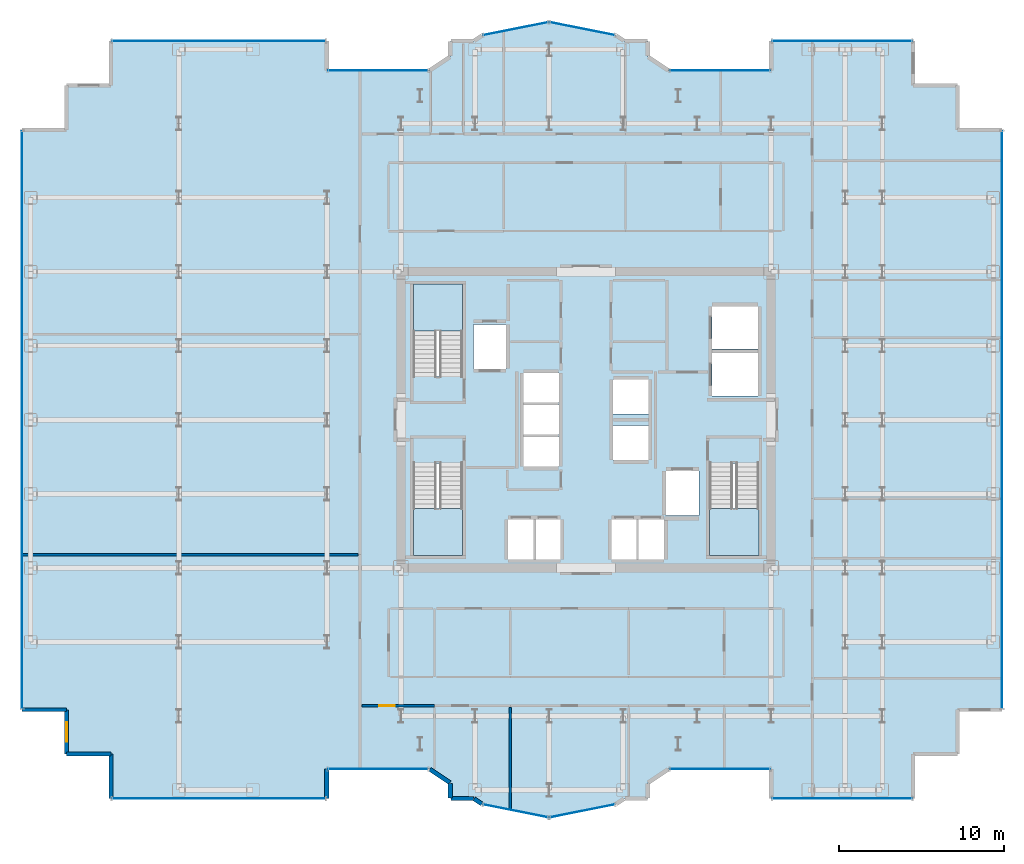
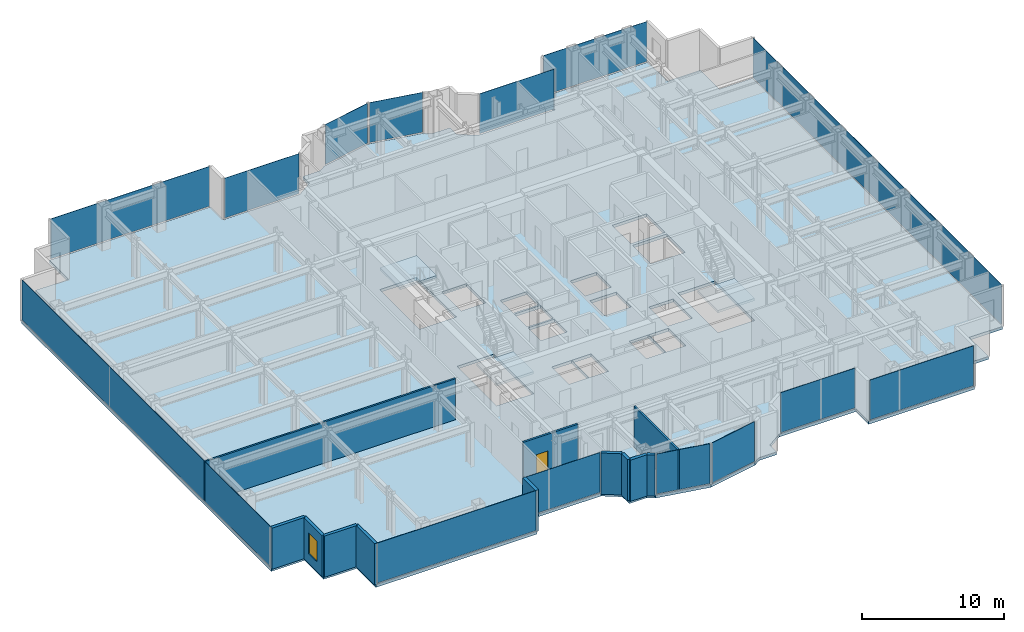
# One storey, part 16 of 23: 14 plates, 12 walls, 4 slabs, 1 door, 1 window, 2 openings, 17 elements without a shape of their own.
"""IFC4 building model written with IfcOpenShell, lengths in metres."""

from ifc_helpers import new_model, si_unit, direction, frame, frame_2d, origin, origin_2d, place, context, subcontext, project, spatial, polyline, rectangle, outline, extrude, source, transform, mapped, material, layer, layer_set, type_object, element, fill, aggregate, save


model = new_model("IFC4")

# Units and contexts
model_context = context("Model", 3, precision=1e-05, world=origin(), true_north=direction((0.0, 1.0)))
body_context = subcontext(model_context, "Body", "Model", "MODEL_VIEW")
ifc_project = project(units=[si_unit("LENGTHUNIT", "METRE"), si_unit("AREAUNIT", "SQUARE_METRE"), si_unit("VOLUMEUNIT", "CUBIC_METRE"), si_unit("PLANEANGLEUNIT", "RADIAN"), si_unit("MASSUNIT", "GRAM", prefix="KILO")], contexts=[model_context])

# Site, building, storey
site_placement = place(None, origin())
site = spatial("IfcSite", under=ifc_project, at=site_placement, CompositionType="ELEMENT")
building_placement = place(site_placement, origin())
building = spatial("IfcBuilding", under=site, at=building_placement, Name="Nefas-Gora Pilgrimage Tower", CompositionType="ELEMENT")
storey_placement = place(building_placement, frame((0.0, 0.0, 152.60009765625)))
storey = spatial("IfcBuildingStorey", under=building, at=storey_placement, Name="L37", CompositionType="ELEMENT", Elevation=152.60009765625)

# Slab
ifc_material_1 = material(Name="Concrete C40/50", Category="concrete")
ifc_layer_1 = layer(ifc_material_1, 0.25)
ifc_layer_set_1 = layer_set([ifc_layer_1], Name="Concrete C40/50")
slab_type_1 = type_object("IfcSlabType", Name="SLB-TWR-250", PredefinedType="FLOOR", material=ifc_layer_set_1)
slab_1_placement = place(storey_placement, frame((0.0, 0.0, -0.25)))
element("IfcSlab", 1, at=slab_1_placement, inside=storey, type_object=slab_type_1, Name="L37 Structural Floor Slab", PredefinedType="FLOOR", context=body_context, shape_type="SweptSolid", body=[
    extrude(outline(polyline([(5.01806640625, -21.219970703125), (11.25, -21.219970703125), (11.25, -23.02001953125), (19.8701171875, -23.02001953125), (19.8701171875, -20.320068359375), (22.570068359375, -20.320068359375), (22.570068359375, -17.6201171875), (25.27001953125, -17.6201171875), (25.27001953125, 17.6201171875), (22.570068359375, 17.6201171875), (22.570068359375, 20.320068359375), (19.8701171875, 20.320068359375), (19.8701171875, 23.02001953125), (11.25, 23.02001953125), (11.25, 21.219970703125), (5.01806640625, 21.219970703125), (3.75, 22.0673828125), (3.75, 23.02001953125), (2.32421875, 23.02001953125), (1.807373046875, 23.365234375), (-2.25, 24.17236328125), (-6.307373046875, 23.365234375), (-6.82421875, 23.02001953125), (-8.25, 23.02001953125), (-8.25, 22.0673828125), (-9.51806640625, 21.219970703125), (-15.75, 21.219970703125), (-15.75, 23.02001953125), (-28.8701171875, 23.02001953125), (-28.8701171875, 20.320068359375), (-31.570068359375, 20.320068359375), (-31.570068359375, 17.6201171875), (-34.27001953125, 17.6201171875), (-34.27001953125, -17.6201171875), (-31.570068359375, -17.6201171875), (-31.570068359375, -20.320068359375), (-28.8701171875, -20.320068359375), (-28.8701171875, -23.02001953125), (-15.75, -23.02001953125), (-15.75, -21.219970703125), (-9.51806640625, -21.219970703125), (-8.25, -22.0673828125), (-8.25, -23.02001953125), (-6.82421875, -23.02001953125), (-6.307373046875, -23.365234375), (-2.25, -24.17236328125), (1.807373046875, -23.365234375), (2.32421875, -23.02001953125), (3.75, -23.02001953125), (3.75, -22.0673828125), (5.01806640625, -21.219970703125)]), holes=[polyline([(-10.5, 2.639892578125), (-10.5, 8.25), (-7.5, 8.25), (-7.5, 2.639892578125), (-10.5, 2.639892578125)]), polyline([(10.5, -2.639892578125), (10.5, -8.25), (7.5, -8.25), (7.5, -2.639892578125), (10.5, -2.639892578125)]), polyline([(-7.5, -2.639892578125), (-7.5, -8.25), (-10.5, -8.25), (-10.5, -2.639892578125), (-7.5, -2.639892578125)]), polyline([(-6.85009765625, 5.800048828125), (-4.85009765625, 5.800048828125), (-4.85009765625, 3.10009765625), (-6.85009765625, 3.10009765625), (-6.85009765625, 5.800048828125)]), polyline([(4.85009765625, -3.10009765625), (6.85009765625, -3.10009765625), (6.85009765625, -5.800048828125), (4.85009765625, -5.800048828125), (4.85009765625, -3.10009765625)]), polyline([(7.64990234375, 4.050048828125), (10.449951171875, 4.050048828125), (10.449951171875, 1.449951171875), (7.64990234375, 1.449951171875), (7.64990234375, 4.050048828125)]), polyline([(7.64990234375, 6.89990234375), (10.449951171875, 6.89990234375), (10.449951171875, 4.300048828125), (7.64990234375, 4.300048828125), (7.64990234375, 6.89990234375)]), polyline([(-4.75, -6.050048828125), (-3.14990234375, -6.050048828125), (-3.14990234375, -8.5), (-4.75, -8.5), (-4.75, -6.050048828125)]), polyline([(-3.10009765625, -6.050048828125), (-1.550048828125, -6.050048828125), (-1.550048828125, -8.5), (-3.10009765625, -8.5), (-3.10009765625, -6.050048828125)]), polyline([(1.550048828125, -6.050048828125), (3.10009765625, -6.050048828125), (3.10009765625, -8.5), (1.550048828125, -8.5), (1.550048828125, -6.050048828125)]), polyline([(3.14990234375, -6.050048828125), (4.75, -6.050048828125), (4.75, -8.5), (3.14990234375, -8.5), (3.14990234375, -6.050048828125)]), polyline([(-3.800048828125, -1.050048828125), (-1.64990234375, -1.050048828125), (-1.64990234375, -2.85009765625), (-3.800048828125, -2.85009765625), (-3.800048828125, -1.050048828125)]), polyline([(-3.800048828125, 0.89990234375), (-1.64990234375, 0.89990234375), (-1.64990234375, -0.89990234375), (-3.800048828125, -0.89990234375), (-3.800048828125, 0.89990234375)]), polyline([(-3.800048828125, 2.85009765625), (-1.64990234375, 2.85009765625), (-1.64990234375, 1.050048828125), (-3.800048828125, 1.050048828125), (-3.800048828125, 2.85009765625)]), polyline([(1.64990234375, -0.35009765625), (3.800048828125, -0.35009765625), (3.800048828125, -2.449951171875), (1.64990234375, -2.449951171875), (1.64990234375, -0.35009765625)]), polyline([(1.64990234375, 2.449951171875), (3.800048828125, 2.449951171875), (3.800048828125, 0.35009765625), (1.64990234375, 0.35009765625), (1.64990234375, 2.449951171875)])]), origin(), (0.0, 0.0, 1.0), 0.25),
])

# Stair, slab
ifc_material_2 = material(Name="Concrete C45/55", Category="concrete")
stair_type = type_object("IfcStairType", Name="STR-1400-R1727", PredefinedType="HALF_TURN_STAIR", material=ifc_material_2)
stair_1_placement = place(storey_placement, origin())
stair_1 = element("IfcStair", 2, at=stair_1_placement, inside=storey, type_object=stair_type, Name="L37 Pressurised Tower Exit Stair ST-01", PredefinedType="HALF_TURN_STAIR")
ifc_layer_2 = layer(ifc_material_1, 0.199951171875)
ifc_layer_set_2 = layer_set([ifc_layer_2], Name="Concrete C40/50")
slab_type_2 = type_object("IfcSlabType", Name="STR-LAND-200", PredefinedType="LANDING", material=ifc_layer_set_2)
slab_2_placement = place(storey_placement, frame((0.0, 0.0, 1.699951171875)))
slab_2 = element("IfcSlab", 3, at=slab_2_placement, type_object=slab_type_2, Name="ST-01 landing 1", PredefinedType="LANDING", context=body_context, shape_type="SweptSolid", body=[
    extrude(outline(polyline([(-7.5, 5.39990234375), (-7.5, 8.25), (-10.5, 8.25), (-10.5, 5.39990234375), (-7.5, 5.39990234375)])), origin(), (0.0, 0.0, 1.0), 0.199951171875),
])
aggregate(stair_1, [slab_2])

stair_2_placement = place(storey_placement, origin())
stair_2 = element("IfcStair", 4, at=stair_2_placement, inside=storey, type_object=stair_type, Name="L37 Pressurised Tower Exit Stair ST-02", PredefinedType="HALF_TURN_STAIR")
slab_3_placement = place(storey_placement, frame((0.0, 0.0, 1.699951171875)))
slab_3 = element("IfcSlab", 5, at=slab_3_placement, type_object=slab_type_2, Name="ST-02 landing 1", PredefinedType="LANDING", context=body_context, shape_type="SweptSolid", body=[
    extrude(outline(polyline([(7.5, -5.39990234375), (7.5, -8.25), (10.5, -8.25), (10.5, -5.39990234375), (7.5, -5.39990234375)])), origin(), (0.0, 0.0, 1.0), 0.199951171875),
])
aggregate(stair_2, [slab_3])

stair_3_placement = place(storey_placement, origin())
stair_3 = element("IfcStair", 6, at=stair_3_placement, inside=storey, type_object=stair_type, Name="L37 Pressurised Tower Exit Stair ST-03", PredefinedType="HALF_TURN_STAIR")
slab_4_placement = place(storey_placement, frame((0.0, 0.0, 1.699951171875)))
slab_4 = element("IfcSlab", 7, at=slab_4_placement, type_object=slab_type_2, Name="ST-03 landing 1", PredefinedType="LANDING", context=body_context, shape_type="SweptSolid", body=[
    extrude(outline(polyline([(-10.5, -5.39990234375), (-10.5, -8.25), (-7.5, -8.25), (-7.5, -5.39990234375), (-10.5, -5.39990234375)])), origin(), (0.0, 0.0, 1.0), 0.199951171875),
])
aggregate(stair_3, [slab_4])

# Curtain wall, plate
ifc_material_3 = material(Name="Dark ceramic-fritted solar-control aluminium-glass curtain wall", Category="aluminium")
ifc_layer_3 = layer(ifc_material_3, 0.219970703125)
ifc_layer_set_3 = layer_set([ifc_layer_3], Name="Dark ceramic-fritted solar-control aluminium-glass curtain wall")
curtain_wall_type_1 = type_object("IfcCurtainWallType", Name="CW-SYS-5", PredefinedType="NOTDEFINED", material=ifc_layer_set_3)
curtain_wall_1_placement = place(storey_placement, origin())
curtain_wall_1 = element("IfcCurtainWall", 8, at=curtain_wall_1_placement, inside=storey, type_object=curtain_wall_type_1, Name="L37 Unitised Curtain Wall CW5", PredefinedType="NOTDEFINED")
ifc_material_4 = material(Name="Dark ceramic-printed low-e insulated glass", Category="glass")
ifc_layer_4 = layer(ifc_material_4, 0.028076171875)
ifc_layer_set_4 = layer_set([ifc_layer_4], Name="Dark ceramic-printed low-e insulated glass")
plate_type_1 = type_object("IfcPlateType", Name="CWP-PNL-5", PredefinedType="CURTAIN_PANEL", material=ifc_layer_set_4)
shared_shape_1 = source(origin(), body_context, "Body", "SweptSolid", [
    extrude(rectangle(XDim=6.052001953125, YDim=0.028076171875, at=origin_2d()), origin(), (0.0, 0.0, 1.0), 3.43994140625),
])
plate_1_placement = place(storey_placement, frame((8.134033203125, -21.219970703125, 0.099853515625), z_axis=(0.0, 0.0, 1.0), x_axis=(1.0, 0.0, 0.0)))
plate_1 = element("IfcPlate", 9, at=plate_1_placement, type_object=plate_type_1, Name="CW5 Ceramic-Fritted Glazing Panel 1", PredefinedType="CURTAIN_PANEL", context=body_context, shape_type="MappedRepresentation", body=[
    mapped(shared_shape_1, transform((0.0, 0.0, 0.0), x_axis=(1.0, 0.0, 0.0), y_axis=(0.0, 1.0, 0.0), z_axis=(0.0, 0.0, 1.0), scale=1.0)),
])
aggregate(curtain_wall_1, [plate_1])

curtain_wall_2_placement = place(storey_placement, origin())
curtain_wall_2 = element("IfcCurtainWall", 10, at=curtain_wall_2_placement, inside=storey, type_object=curtain_wall_type_1, Name="L37 Unitised Curtain Wall CW5", PredefinedType="NOTDEFINED")
plate_2_placement = place(storey_placement, frame((8.134033203125, 21.219970703125, 0.099853515625), z_axis=(0.0, 0.0, 1.0), x_axis=(-1.0, 0.0, 0.0)))
plate_2 = element("IfcPlate", 11, at=plate_2_placement, type_object=plate_type_1, Name="CW5 Ceramic-Fritted Glazing Panel 1", PredefinedType="CURTAIN_PANEL", context=body_context, shape_type="MappedRepresentation", body=[
    mapped(shared_shape_1, transform((0.0, 0.0, 0.0), x_axis=(1.0, 0.0, 0.0), y_axis=(0.0, 1.0, 0.0), z_axis=(0.0, 0.0, 1.0), scale=1.0)),
])
aggregate(curtain_wall_2, [plate_2])

curtain_wall_3_placement = place(storey_placement, origin())
curtain_wall_3 = element("IfcCurtainWall", 12, at=curtain_wall_3_placement, inside=storey, type_object=curtain_wall_type_1, Name="L37 Unitised Curtain Wall CW5", PredefinedType="NOTDEFINED")
plate_3_placement = place(storey_placement, frame((-12.634033203125, 21.219970703125, 0.099853515625), z_axis=(0.0, 0.0, 1.0), x_axis=(-1.0, 0.0, 0.0)))
plate_3 = element("IfcPlate", 13, at=plate_3_placement, type_object=plate_type_1, Name="CW5 Ceramic-Fritted Glazing Panel 1", PredefinedType="CURTAIN_PANEL", context=body_context, shape_type="MappedRepresentation", body=[
    mapped(shared_shape_1, transform((0.0, 0.0, 0.0), x_axis=(1.0, 0.0, 0.0), y_axis=(0.0, 1.0, 0.0), z_axis=(0.0, 0.0, 1.0), scale=1.0)),
])
aggregate(curtain_wall_3, [plate_3])

curtain_wall_4_placement = place(storey_placement, origin())
curtain_wall_4 = element("IfcCurtainWall", 14, at=curtain_wall_4_placement, inside=storey, type_object=curtain_wall_type_1, Name="L37 Unitised Curtain Wall CW5", PredefinedType="NOTDEFINED")
plate_4_placement = place(storey_placement, frame((-12.634033203125, -21.219970703125, 0.099853515625), z_axis=(0.0, 0.0, 1.0), x_axis=(1.0, 0.0, 0.0)))
plate_4 = element("IfcPlate", 15, at=plate_4_placement, type_object=plate_type_1, Name="CW5 Ceramic-Fritted Glazing Panel 1", PredefinedType="CURTAIN_PANEL", context=body_context, shape_type="MappedRepresentation", body=[
    mapped(shared_shape_1, transform((0.0, 0.0, 0.0), x_axis=(1.0, 0.0, 0.0), y_axis=(0.0, 1.0, 0.0), z_axis=(0.0, 0.0, 1.0), scale=1.0)),
])
aggregate(curtain_wall_4, [plate_4])

curtain_wall_5_placement = place(storey_placement, origin())
curtain_wall_5 = element("IfcCurtainWall", 16, at=curtain_wall_5_placement, inside=storey, type_object=curtain_wall_type_1, Name="L37 Unitised Curtain Wall CW5", PredefinedType="NOTDEFINED")
shared_shape_2 = source(origin(), body_context, "Body", "SweptSolid", [
    extrude(rectangle(XDim=3.956787109375, YDim=0.028076171875, at=origin_2d()), origin(), (0.0, 0.0, 1.0), 3.43994140625),
])
plate_5_placement = place(storey_placement, frame((-0.22119140625, 23.768798828125, 0.099853515625), z_axis=(0.0, 0.0, 1.0), x_axis=(-0.980782896852, 0.195102304554, 0.0)))
plate_5 = element("IfcPlate", 17, at=plate_5_placement, type_object=plate_type_1, Name="CW5 Ceramic-Fritted Glazing Panel 1", PredefinedType="CURTAIN_PANEL", context=body_context, shape_type="MappedRepresentation", body=[
    mapped(shared_shape_2, transform((0.0, 0.0, 0.0), x_axis=(1.0, 0.0, 0.0), y_axis=(0.0, 1.0, 0.0), z_axis=(0.0, 0.0, 1.0), scale=1.0)),
])
aggregate(curtain_wall_5, [plate_5])

curtain_wall_6_placement = place(storey_placement, origin())
curtain_wall_6 = element("IfcCurtainWall", 18, at=curtain_wall_6_placement, inside=storey, type_object=curtain_wall_type_1, Name="L37 Unitised Curtain Wall CW5", PredefinedType="NOTDEFINED")
plate_6_placement = place(storey_placement, frame((-4.278564453125, 23.768798828125, 0.099853515625), z_axis=(0.0, 0.0, 1.0), x_axis=(-0.980782896852, -0.195102304554, 0.0)))
plate_6 = element("IfcPlate", 19, at=plate_6_placement, type_object=plate_type_1, Name="CW5 Ceramic-Fritted Glazing Panel 1", PredefinedType="CURTAIN_PANEL", context=body_context, shape_type="MappedRepresentation", body=[
    mapped(shared_shape_2, transform((0.0, 0.0, 0.0), x_axis=(1.0, 0.0, 0.0), y_axis=(0.0, 1.0, 0.0), z_axis=(0.0, 0.0, 1.0), scale=1.0)),
])
aggregate(curtain_wall_6, [plate_6])

curtain_wall_7_placement = place(storey_placement, origin())
curtain_wall_7 = element("IfcCurtainWall", 20, at=curtain_wall_7_placement, inside=storey, type_object=curtain_wall_type_1, Name="L37 Unitised Curtain Wall CW5", PredefinedType="NOTDEFINED")
plate_7_placement = place(storey_placement, frame((-4.278564453125, -23.768798828125, 0.099853515625), z_axis=(0.0, 0.0, 1.0), x_axis=(0.980782896852, -0.195102304554, 0.0)))
plate_7 = element("IfcPlate", 21, at=plate_7_placement, type_object=plate_type_1, Name="CW5 Ceramic-Fritted Glazing Panel 1", PredefinedType="CURTAIN_PANEL", context=body_context, shape_type="MappedRepresentation", body=[
    mapped(shared_shape_2, transform((0.0, 0.0, 0.0), x_axis=(1.0, 0.0, 0.0), y_axis=(0.0, 1.0, 0.0), z_axis=(0.0, 0.0, 1.0), scale=1.0)),
])
aggregate(curtain_wall_7, [plate_7])

curtain_wall_8_placement = place(storey_placement, origin())
curtain_wall_8 = element("IfcCurtainWall", 22, at=curtain_wall_8_placement, inside=storey, type_object=curtain_wall_type_1, Name="L37 Unitised Curtain Wall CW5", PredefinedType="NOTDEFINED")
plate_8_placement = place(storey_placement, frame((-0.221435546875, -23.768798828125, 0.099853515625), z_axis=(0.0, 0.0, 1.0), x_axis=(0.980782896852, 0.195102304554, 0.0)))
plate_8 = element("IfcPlate", 23, at=plate_8_placement, type_object=plate_type_1, Name="CW5 Ceramic-Fritted Glazing Panel 1", PredefinedType="CURTAIN_PANEL", context=body_context, shape_type="MappedRepresentation", body=[
    mapped(shared_shape_2, transform((0.0, 0.0, 0.0), x_axis=(1.0, 0.0, 0.0), y_axis=(0.0, 1.0, 0.0), z_axis=(0.0, 0.0, 1.0), scale=1.0)),
])
aggregate(curtain_wall_8, [plate_8])

ifc_layer_5 = layer(ifc_material_3, 0.219970703125)
ifc_layer_set_5 = layer_set([ifc_layer_5], Name="Dark ceramic-fritted solar-control aluminium-glass curtain wall")
curtain_wall_type_2 = type_object("IfcCurtainWallType", Name="CW-SYS-3", PredefinedType="NOTDEFINED", material=ifc_layer_set_5)
curtain_wall_9_placement = place(storey_placement, origin())
curtain_wall_9 = element("IfcCurtainWall", 24, at=curtain_wall_9_placement, inside=storey, type_object=curtain_wall_type_2, Name="L37 Unitised Curtain Wall CW3", PredefinedType="NOTDEFINED")
ifc_layer_6 = layer(ifc_material_4, 0.033935546875)
ifc_layer_set_6 = layer_set([ifc_layer_6], Name="Dark ceramic-printed low-e insulated glass")
plate_type_2 = type_object("IfcPlateType", Name="CWP-PNL-3", PredefinedType="CURTAIN_PANEL", material=ifc_layer_set_6)
shared_shape_3 = source(origin(), body_context, "Body", "SweptSolid", [
    extrude(rectangle(XDim=8.43994140625, YDim=0.033935546875, at=origin_2d()), origin(), (0.0, 0.0, 1.0), 3.43994140625),
])
plate_9_placement = place(storey_placement, frame((15.56005859375, -23.02001953125, 0.099853515625), z_axis=(0.0, 0.0, 1.0), x_axis=(1.0, 0.0, 0.0)))
plate_9 = element("IfcPlate", 25, at=plate_9_placement, type_object=plate_type_2, Name="CW3 Ceramic-Fritted Glazing Panel 1", PredefinedType="CURTAIN_PANEL", context=body_context, shape_type="MappedRepresentation", body=[
    mapped(shared_shape_3, transform((0.0, 0.0, 0.0), x_axis=(1.0, 0.0, 0.0), y_axis=(0.0, 1.0, 0.0), z_axis=(0.0, 0.0, 1.0), scale=1.0)),
])
aggregate(curtain_wall_9, [plate_9])

curtain_wall_10_placement = place(storey_placement, origin())
curtain_wall_10 = element("IfcCurtainWall", 26, at=curtain_wall_10_placement, inside=storey, type_object=curtain_wall_type_2, Name="L37 Unitised Curtain Wall CW3", PredefinedType="NOTDEFINED")
plate_10_placement = place(storey_placement, frame((15.56005859375, 23.02001953125, 0.099853515625), z_axis=(0.0, 0.0, 1.0), x_axis=(-1.0, 0.0, 0.0)))
plate_10 = element("IfcPlate", 27, at=plate_10_placement, type_object=plate_type_2, Name="CW3 Ceramic-Fritted Glazing Panel 1", PredefinedType="CURTAIN_PANEL", context=body_context, shape_type="MappedRepresentation", body=[
    mapped(shared_shape_3, transform((0.0, 0.0, 0.0), x_axis=(1.0, 0.0, 0.0), y_axis=(0.0, 1.0, 0.0), z_axis=(0.0, 0.0, 1.0), scale=1.0)),
])
aggregate(curtain_wall_10, [plate_10])

curtain_wall_11_placement = place(storey_placement, origin())
curtain_wall_11 = element("IfcCurtainWall", 28, at=curtain_wall_11_placement, inside=storey, type_object=curtain_wall_type_2, Name="L37 Unitised Curtain Wall CW3", PredefinedType="NOTDEFINED")
shared_shape_4 = source(origin(), body_context, "Body", "SweptSolid", [
    extrude(rectangle(XDim=12.93994140625, YDim=0.033935546875, at=origin_2d()), origin(), (0.0, 0.0, 1.0), 3.43994140625),
])
plate_11_placement = place(storey_placement, frame((-22.31005859375, 23.02001953125, 0.099853515625), z_axis=(0.0, 0.0, 1.0), x_axis=(-1.0, 0.0, 0.0)))
plate_11 = element("IfcPlate", 29, at=plate_11_placement, type_object=plate_type_2, Name="CW3 Ceramic-Fritted Glazing Panel 1", PredefinedType="CURTAIN_PANEL", context=body_context, shape_type="MappedRepresentation", body=[
    mapped(shared_shape_4, transform((0.0, 0.0, 0.0), x_axis=(1.0, 0.0, 0.0), y_axis=(0.0, 1.0, 0.0), z_axis=(0.0, 0.0, 1.0), scale=1.0)),
])
aggregate(curtain_wall_11, [plate_11])

curtain_wall_12_placement = place(storey_placement, origin())
curtain_wall_12 = element("IfcCurtainWall", 30, at=curtain_wall_12_placement, inside=storey, type_object=curtain_wall_type_2, Name="L37 Unitised Curtain Wall CW3", PredefinedType="NOTDEFINED")
plate_12_placement = place(storey_placement, frame((-22.31005859375, -23.02001953125, 0.099853515625), z_axis=(0.0, 0.0, 1.0), x_axis=(1.0, 0.0, 0.0)))
plate_12 = element("IfcPlate", 31, at=plate_12_placement, type_object=plate_type_2, Name="CW3 Ceramic-Fritted Glazing Panel 1", PredefinedType="CURTAIN_PANEL", context=body_context, shape_type="MappedRepresentation", body=[
    mapped(shared_shape_4, transform((0.0, 0.0, 0.0), x_axis=(1.0, 0.0, 0.0), y_axis=(0.0, 1.0, 0.0), z_axis=(0.0, 0.0, 1.0), scale=1.0)),
])
aggregate(curtain_wall_12, [plate_12])

curtain_wall_13_placement = place(storey_placement, origin())
curtain_wall_13 = element("IfcCurtainWall", 32, at=curtain_wall_13_placement, inside=storey, type_object=curtain_wall_type_2, Name="L37 Unitised Curtain Wall CW3", PredefinedType="NOTDEFINED")
shared_shape_5 = source(origin(), body_context, "Body", "SweptSolid", [
    extrude(rectangle(XDim=35.06005859375, YDim=0.033935546875, at=origin_2d()), origin(), (0.0, 0.0, 1.0), 3.43994140625),
])
plate_13_placement = place(storey_placement, frame((25.27001953125, 0.0, 0.099853515625), z_axis=(0.0, 0.0, 1.0), x_axis=(0.0, 1.0, 0.0)))
plate_13 = element("IfcPlate", 33, at=plate_13_placement, type_object=plate_type_2, Name="CW3 Ceramic-Fritted Glazing Panel 1", PredefinedType="CURTAIN_PANEL", context=body_context, shape_type="MappedRepresentation", body=[
    mapped(shared_shape_5, transform((0.0, 0.0, 0.0), x_axis=(1.0, 0.0, 0.0), y_axis=(0.0, 1.0, 0.0), z_axis=(0.0, 0.0, 1.0), scale=1.0)),
])
aggregate(curtain_wall_13, [plate_13])

curtain_wall_14_placement = place(storey_placement, origin())
curtain_wall_14 = element("IfcCurtainWall", 34, at=curtain_wall_14_placement, inside=storey, type_object=curtain_wall_type_2, Name="L37 Unitised Curtain Wall CW3", PredefinedType="NOTDEFINED")
plate_14_placement = place(storey_placement, frame((-34.27001953125, 0.0, 0.099853515625), z_axis=(0.0, 0.0, 1.0), x_axis=(0.0, -1.0, 0.0)))
plate_14 = element("IfcPlate", 35, at=plate_14_placement, type_object=plate_type_2, Name="CW3 Ceramic-Fritted Glazing Panel 1", PredefinedType="CURTAIN_PANEL", context=body_context, shape_type="MappedRepresentation", body=[
    mapped(shared_shape_5, transform((0.0, 0.0, 0.0), x_axis=(1.0, 0.0, 0.0), y_axis=(0.0, 1.0, 0.0), z_axis=(0.0, 0.0, 1.0), scale=1.0)),
])
aggregate(curtain_wall_14, [plate_14])

# Walls
ifc_material_5 = material(Name="Precast concrete C40/50", Category="concrete")
ifc_layer_7 = layer(ifc_material_5, 0.260009765625)
ifc_layer_set_7 = layer_set([ifc_layer_7], Name="Precast concrete C40/50")
wall_type_1 = type_object("IfcWallType", Name="EW-PORTAL-260", PredefinedType="SOLIDWALL", material=ifc_layer_set_7)
shared_shape_6 = source(origin(), body_context, "Body", "SweptSolid", [
    extrude(rectangle(XDim=1.800048828125, YDim=0.260009765625, at=frame_2d((0.89990234375, 0.0))), origin(), (0.0, 0.0, 1.0), 3.5498046875),
])
wall_1_placement = place(storey_placement, frame((-15.75, -23.02001953125, 0.0), z_axis=(0.0, 0.0, 1.0), x_axis=(0.0, 1.0, 0.0)))
element("IfcWall", 36, at=wall_1_placement, inside=storey, type_object=wall_type_1, Name="L37 Lobe Shoulder Precast Spandrel Pier 28", PredefinedType="SOLIDWALL", context=body_context, shape_type="MappedRepresentation", body=[
    mapped(shared_shape_6, transform((0.0, 0.0, 0.0), x_axis=(1.0, 0.0, 0.0), y_axis=(0.0, 1.0, 0.0), z_axis=(0.0, 0.0, 1.0), scale=1.0)),
])
ifc_material_6 = material(Name="Precast concrete C45/55", Category="concrete")
ifc_layer_8 = layer(ifc_material_6, 0.239990234375)
ifc_layer_set_8 = layer_set([ifc_layer_8], Name="Precast concrete C45/55")
wall_type_2 = type_object("IfcWallType", Name="EW-SERR-240", PredefinedType="SHEAR", material=ifc_layer_set_8)
shared_shape_7 = source(origin(), body_context, "Body", "SweptSolid", [
    extrude(rectangle(XDim=2.699951171875, YDim=0.239990234375, at=frame_2d((1.35009765625, 0.0))), origin(), (0.0, 0.0, 1.0), 3.5498046875),
])
wall_2_placement = place(storey_placement, frame((-34.27001953125, -17.6201171875, 0.0), z_axis=(0.0, 0.0, 1.0), x_axis=(1.0, 0.0, 0.0)))
element("IfcWall", 37, at=wall_2_placement, inside=storey, type_object=wall_type_2, Name="L37 Serrated Corner Shear Pier Wall 24", PredefinedType="SHEAR", context=body_context, shape_type="MappedRepresentation", body=[
    mapped(shared_shape_7, transform((0.0, 0.0, 0.0), x_axis=(1.0, 0.0, 0.0), y_axis=(0.0, 1.0, 0.0), z_axis=(0.0, 0.0, 1.0), scale=1.0)),
])

# Wall, opening, window
wall_3_placement = place(storey_placement, frame((-31.570068359375, -17.6201171875, 0.0), z_axis=(0.0, 0.0, 1.0), x_axis=(0.0, -1.0, 0.0)))
wall_3 = element("IfcWall", 38, at=wall_3_placement, inside=storey, type_object=wall_type_2, Name="L37 Serrated Corner Shear Pier Wall 25", PredefinedType="SHEAR", context=body_context, shape_type="MappedRepresentation", body=[
    mapped(shared_shape_7, transform((0.0, 0.0, 0.0), x_axis=(1.0, 0.0, 0.0), y_axis=(0.0, 1.0, 0.0), z_axis=(0.0, 0.0, 1.0), scale=1.0)),
])
opening_1_placement = place(wall_3_placement, frame((0.75, 0.0, 0.85009765625)))
opening_1 = element("IfcOpeningElement", 39, at=opening_1_placement, cuts=wall_3, Name="Opening W-V1", PredefinedType="OPENING", context=body_context, shape_type="SweptSolid", body=[
    extrude(rectangle(XDim=1.199951171875, YDim=1.800048828125, at=frame_2d((0.60009765625, 0.89990234375))), frame((0.0, 0.1298828125, 0.0), z_axis=(0.0, -1.0, 0.0), x_axis=(1.0, 0.0, 0.0)), (0.0, 0.0, 1.0), 0.260009765625),
])
ifc_material_7 = material(Name="Dark ceramic-fritted operable aluminium-glass window", Category="aluminium")
window_type = type_object("IfcWindowType", Name="WIN-VENT-1200x1800", PartitioningType="SINGLE_PANEL", PredefinedType="WINDOW", material=ifc_material_7)
shared_shape_8 = source(origin(), body_context, "Body", "SweptSolid", [
    extrude(rectangle(XDim=1.199951171875, YDim=1.800048828125, at=frame_2d((0.60009765625, 0.89990234375))), frame((0.0, 0.030029296875, 0.0), z_axis=(0.0, -1.0, 0.0), x_axis=(1.0, 0.0, 0.0)), (0.0, 0.0, 1.0), 0.06005859375),
])
window_placement = place(opening_1_placement, origin())
window = element("IfcWindow", 40, at=window_placement, inside=storey, type_object=window_type, Name="L37 Operable Parallel-Outswing Window 25", OverallHeight=1.800048828125, OverallWidth=1.199951171875, PartitioningType="SINGLE_PANEL", PredefinedType="WINDOW", context=body_context, shape_type="MappedRepresentation", body=[
    mapped(shared_shape_8, transform((0.0, 0.0, 0.0), x_axis=(1.0, 0.0, 0.0), y_axis=(0.0, 1.0, 0.0), z_axis=(0.0, 0.0, 1.0), scale=1.0)),
])
fill(opening_1, window)

# Walls
for number, where, z_axis, x_axis, name in (
    (41, (-31.570068359375, -20.320068359375, 0.0), (0.0, 0.0, 1.0), (1.0, 0.0, 0.0), "L37 Serrated Corner Shear Pier Wall 26"),
    (42, (-28.8701171875, -20.320068359375, 0.0), (0.0, 0.0, 1.0), (0.0, -1.0, 0.0), "L37 Serrated Corner Shear Pier Wall 27"),
):
    element("IfcWall", number, at=place(storey_placement, frame(where, z_axis=z_axis, x_axis=x_axis)), inside=storey, type_object=wall_type_2, Name=name, PredefinedType="SHEAR", context=body_context, shape_type="MappedRepresentation", body=[
        mapped(shared_shape_7, transform((0.0, 0.0, 0.0), x_axis=(1.0, 0.0, 0.0), y_axis=(0.0, 1.0, 0.0), z_axis=(0.0, 0.0, 1.0), scale=1.0)),
    ])
shared_shape_9 = source(origin(), body_context, "Body", "SweptSolid", [
    extrude(rectangle(XDim=1.468994140625, YDim=0.260009765625, at=frame_2d((0.734375, 0.0))), origin(), (0.0, 0.0, 1.0), 3.5498046875),
])
wall_4_placement = place(storey_placement, frame((-9.49462890625, -21.235595703125, 0.0), z_axis=(0.0, 0.0, 1.0), x_axis=(0.831461760506, -0.555581983884, 0.0)))
element("IfcWall", 43, at=wall_4_placement, inside=storey, type_object=wall_type_1, Name="L37 Lobe Shoulder Precast Spandrel Pier 29", PredefinedType="SOLIDWALL", context=body_context, shape_type="MappedRepresentation", body=[
    mapped(shared_shape_9, transform((0.0, 0.0, 0.0), x_axis=(1.0, 0.0, 0.0), y_axis=(0.0, 1.0, 0.0), z_axis=(0.0, 0.0, 1.0), scale=1.0)),
])
shared_shape_10 = source(origin(), body_context, "Body", "SweptSolid", [
    extrude(rectangle(XDim=0.896728515625, YDim=0.260009765625, at=frame_2d((0.4482421875, 0.0))), origin(), (0.0, 0.0, 1.0), 3.5498046875),
])
wall_5_placement = place(storey_placement, frame((-8.25, -22.09521484375, 0.0), z_axis=(0.0, 0.0, 1.0), x_axis=(0.0, -1.0, 0.0)))
element("IfcWall", 44, at=wall_5_placement, inside=storey, type_object=wall_type_1, Name="L37 Lobe Shoulder Precast Spandrel Pier 30", PredefinedType="SOLIDWALL", context=body_context, shape_type="MappedRepresentation", body=[
    mapped(shared_shape_10, transform((0.0, 0.0, 0.0), x_axis=(1.0, 0.0, 0.0), y_axis=(0.0, 1.0, 0.0), z_axis=(0.0, 0.0, 1.0), scale=1.0)),
])
shared_shape_11 = source(origin(), body_context, "Body", "SweptSolid", [
    extrude(rectangle(XDim=1.369873046875, YDim=0.260009765625, at=frame_2d((0.68505859375, 0.0))), origin(), (0.0, 0.0, 1.0), 3.5498046875),
])
wall_6_placement = place(storey_placement, frame((-8.221923828125, -23.02001953125, 0.0), z_axis=(0.0, 0.0, 1.0), x_axis=(1.0, 0.0, 0.0)))
element("IfcWall", 45, at=wall_6_placement, inside=storey, type_object=wall_type_1, Name="L37 Lobe Shoulder Precast Spandrel Pier 31", PredefinedType="SOLIDWALL", context=body_context, shape_type="MappedRepresentation", body=[
    mapped(shared_shape_11, transform((0.0, 0.0, 0.0), x_axis=(1.0, 0.0, 0.0), y_axis=(0.0, 1.0, 0.0), z_axis=(0.0, 0.0, 1.0), scale=1.0)),
])
shared_shape_12 = source(origin(), body_context, "Body", "SweptSolid", [
    extrude(rectangle(XDim=0.5654296875, YDim=0.260009765625, at=frame_2d((0.28271484375, 0.0))), origin(), (0.0, 0.0, 1.0), 3.5498046875),
])
wall_7_placement = place(storey_placement, frame((-6.80078125, -23.03564453125, 0.0), z_axis=(0.0, 0.0, 1.0), x_axis=(0.831651492666, -0.555297933317, 0.0)))
element("IfcWall", 46, at=wall_7_placement, inside=storey, type_object=wall_type_1, Name="L37 Lobe Shoulder Precast Spandrel Pier 32", PredefinedType="SOLIDWALL", context=body_context, shape_type="MappedRepresentation", body=[
    mapped(shared_shape_12, transform((0.0, 0.0, 0.0), x_axis=(1.0, 0.0, 0.0), y_axis=(0.0, 1.0, 0.0), z_axis=(0.0, 0.0, 1.0), scale=1.0)),
])

# Wall, opening, door
ifc_material_8 = material(Name="Gypsum acoustic stud partition")
ifc_layer_9 = layer(ifc_material_8, 0.159912109375)
ifc_layer_set_9 = layer_set([ifc_layer_9], Name="Gypsum acoustic stud partition")
wall_type_3 = type_object("IfcWallType", Name="IW-CORR-160", PredefinedType="PARTITIONING", material=ifc_layer_set_9)
shared_shape_13 = source(origin(), body_context, "Body", "SweptSolid", [
    extrude(rectangle(XDim=4.425048828125, YDim=0.159912109375, at=frame_2d((2.21240234375, 0.0))), origin(), (0.0, 0.0, 1.0), 3.534912109375),
])
wall_8_placement = place(storey_placement, frame((-13.6201171875, -17.3701171875, 0.0), z_axis=(0.0, 0.0, 1.0), x_axis=(1.0, 0.0, 0.0)))
wall_8 = element("IfcWall", 47, at=wall_8_placement, inside=storey, type_object=wall_type_3, Name="L37 Pilgrim Contemplative Lounge Partition Wall 71", PredefinedType="PARTITIONING", context=body_context, shape_type="MappedRepresentation", body=[
    mapped(shared_shape_13, transform((0.0, 0.0, 0.0), x_axis=(1.0, 0.0, 0.0), y_axis=(0.0, 1.0, 0.0), z_axis=(0.0, 0.0, 1.0), scale=1.0)),
])
opening_2_placement = place(wall_8_placement, frame((1.037841796875, 0.0, 0.0)))
opening_2 = element("IfcOpeningElement", 48, at=opening_2_placement, cuts=wall_8, Name="Opening ID-GR1", PredefinedType="OPENING", context=body_context, shape_type="SweptSolid", body=[
    extrude(rectangle(XDim=0.949951171875, YDim=2.10009765625, at=frame_2d((0.47509765625, 1.050048828125))), frame((0.0, 0.08984375, 0.0), z_axis=(0.0, -1.0, 0.0), x_axis=(1.0, 0.0, 0.0)), (0.0, 0.0, 1.0), 0.179931640625),
])
ifc_material_9 = material(Name="Solid core oak fire-rated guest entrance door")
door_type = type_object("IfcDoorType", Name="DR-INT-GUEST-950", OperationType="NOTDEFINED", PredefinedType="DOOR", material=ifc_material_9)
shared_shape_14 = source(origin(), body_context, "Body", "SweptSolid", [
    extrude(rectangle(XDim=0.949951171875, YDim=2.10009765625, at=frame_2d((0.47509765625, 1.050048828125))), frame((0.0, 0.02490234375, 0.0), z_axis=(0.0, -1.0, 0.0), x_axis=(1.0, 0.0, 0.0)), (0.0, 0.0, 1.0), 0.050048828125),
])
door_placement = place(opening_2_placement, origin())
door = element("IfcDoor", 49, at=door_placement, inside=storey, type_object=door_type, Name="L37 Pilgrim Contemplative Lounge Door 32", OperationType="SINGLE_SWING_LEFT", OverallHeight=2.10009765625, OverallWidth=0.949951171875, PredefinedType="DOOR", context=body_context, shape_type="MappedRepresentation", body=[
    mapped(shared_shape_14, transform((0.0, 0.0, 0.0), x_axis=(1.0, 0.0, 0.0), y_axis=(0.0, 1.0, 0.0), z_axis=(0.0, 0.0, 1.0), scale=1.0)),
])
fill(opening_2, door)

# Walls
ifc_material_10 = material(Name="Gypsum twin-stud partition")
ifc_layer_10 = layer(ifc_material_10, 0.139892578125)
ifc_layer_set_10 = layer_set([ifc_layer_10], Name="Gypsum twin-stud partition")
wall_type_4 = type_object("IfcWallType", Name="IW-UNIT-140", PredefinedType="PARTITIONING", material=ifc_layer_set_10)
shared_shape_15 = source(origin(), body_context, "Body", "SweptSolid", [
    extrude(rectangle(XDim=20.429931640625, YDim=0.139892578125, at=frame_2d((10.21484375, 0.0))), origin(), (0.0, 0.0, 1.0), 3.534912109375),
])
wall_9_placement = place(storey_placement, frame((-34.2900390625, -8.205078125, 0.0), z_axis=(0.0, 0.0, 1.0), x_axis=(1.0, 0.0, 0.0)))
element("IfcWall", 50, at=wall_9_placement, inside=storey, type_object=wall_type_4, Name="L37 Pilgrim Tea and Beverage Pantry Partition Wall 33", PredefinedType="PARTITIONING", context=body_context, shape_type="MappedRepresentation", body=[
    mapped(shared_shape_15, transform((0.0, 0.0, 0.0), x_axis=(1.0, 0.0, 0.0), y_axis=(0.0, 1.0, 0.0), z_axis=(0.0, 0.0, 1.0), scale=1.0)),
])
shared_shape_16 = source(origin(), body_context, "Body", "SweptSolid", [
    extrude(rectangle(XDim=6.236328125, YDim=0.139892578125, at=frame_2d((3.1181640625, 0.0))), origin(), (0.0, 0.0, 1.0), 3.534912109375),
])
wall_10_placement = place(storey_placement, frame((-4.60498046875, -23.726318359375, 0.0), z_axis=(0.0, 0.0, 1.0), x_axis=(0.0, 1.0, 0.0)))
element("IfcWall", 51, at=wall_10_placement, inside=storey, type_object=wall_type_4, Name="L37 Pilgrim Contemplative Lounge Partition Wall 78", PredefinedType="PARTITIONING", context=body_context, shape_type="MappedRepresentation", body=[
    mapped(shared_shape_16, transform((0.0, 0.0, 0.0), x_axis=(1.0, 0.0, 0.0), y_axis=(0.0, 1.0, 0.0), z_axis=(0.0, 0.0, 1.0), scale=1.0)),
])

save(model, "model.ifc")
